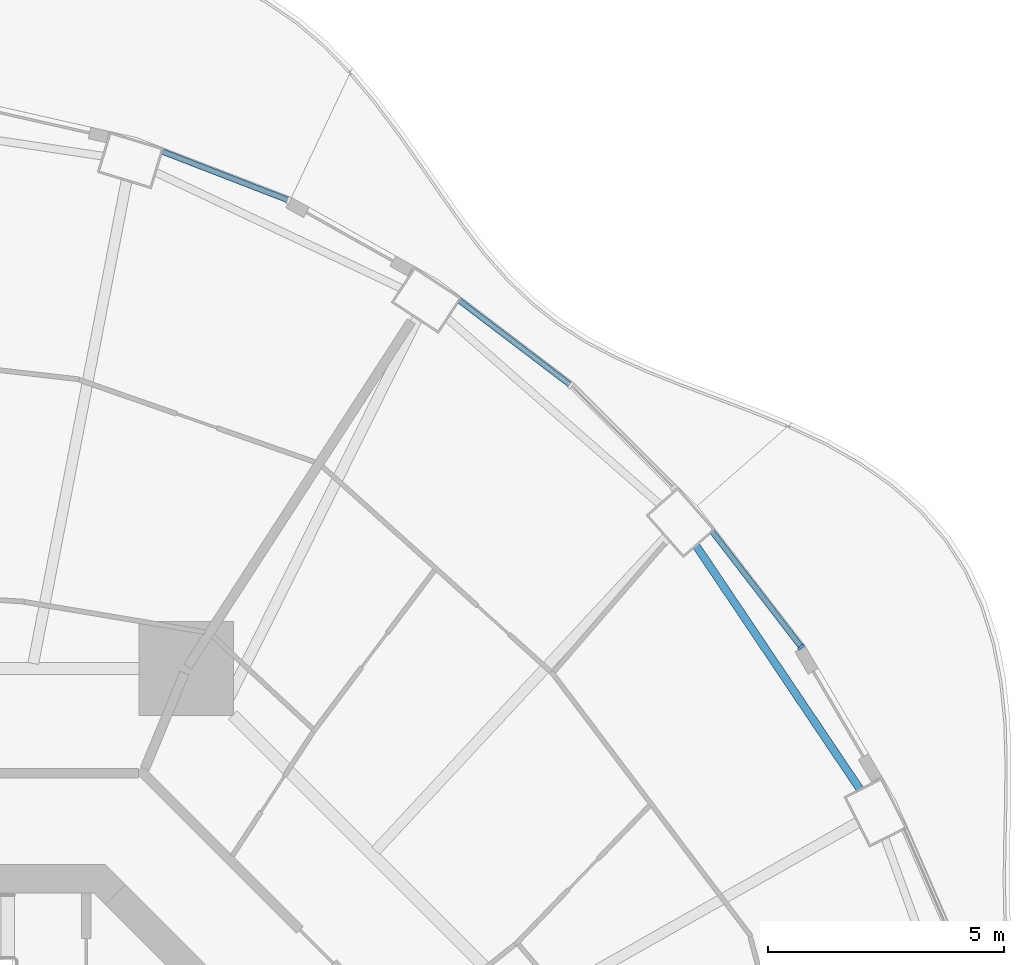
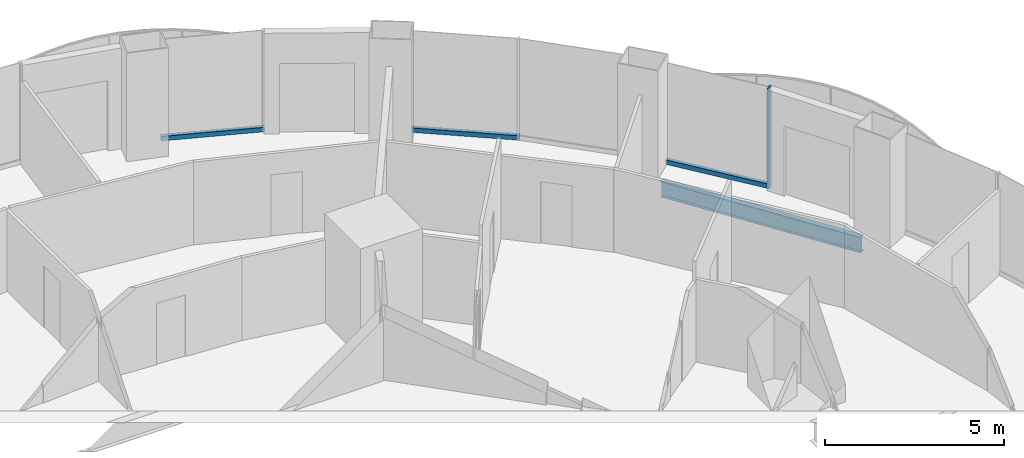
# One storey, part 9 of 20: 4 members, 1 beam, 3 elements without a shape of their own.
"""IFC4 building model written with IfcOpenShell, lengths in metres."""

from ifc_helpers import new_model, si_unit, direction, frame, origin, origin_2d, place, context, subcontext, project, spatial, rectangle, i_section, extrude, material, layer, layer_set, material_profile, profile_set, type_object, element, aggregate, save


model = new_model("IFC4")

# Units and contexts
model_context = context("Model", 3, precision=1e-05, world=origin(), true_north=direction((0.0, 1.0)))
body_context = subcontext(model_context, "Body", "Model", "MODEL_VIEW")
ifc_project = project(units=[si_unit("LENGTHUNIT", "METRE"), si_unit("AREAUNIT", "SQUARE_METRE"), si_unit("VOLUMEUNIT", "CUBIC_METRE"), si_unit("PLANEANGLEUNIT", "RADIAN"), si_unit("MASSUNIT", "GRAM", prefix="KILO")], contexts=[model_context])

# Site, building, storey
site_placement = place(None, origin())
site = spatial("IfcSite", under=ifc_project, at=site_placement, CompositionType="ELEMENT")
building_placement = place(site_placement, origin())
building = spatial("IfcBuilding", under=site, at=building_placement, Name="Nagisa Residences", CompositionType="ELEMENT")
storey_placement = place(building_placement, frame((0.0, 0.0, 123.300048828125)))
storey = spatial("IfcBuildingStorey", under=building, at=storey_placement, Name="L30", CompositionType="ELEMENT", Elevation=123.300048828125)

# Curtain wall, members
ifc_material_1 = material(Name="Concrete-coloured aluminium curtain wall system", Category="concrete")
ifc_layer = layer(ifc_material_1, 0.159912109375)
ifc_layer_set = layer_set([ifc_layer], Name="CW1 CURTAIN WALL")
curtain_wall_type = type_object("IfcCurtainWallType", Name="CW1 CURTAIN WALL", PredefinedType="NOTDEFINED", material=ifc_layer_set)
curtain_wall_1_placement = place(storey_placement, origin())
curtain_wall_1 = element("IfcCurtainWall", 1, at=curtain_wall_1_placement, inside=storey, type_object=curtain_wall_type, Name="cw:CW1:L30:05", PredefinedType="NOTDEFINED")
ifc_material_2 = material(Name="Concrete-coloured aluminium", Category="concrete")
ifc_material_profile_1 = material_profile(ifc_material_2, rectangle(XDim=0.159912109375, YDim=0.06005859375, at=origin_2d()), Name="CW1 MULLION 160x60")
ifc_profile_set_1 = profile_set([ifc_material_profile_1], Name="Concrete-coloured aluminium")
member_type_1 = type_object("IfcMemberType", Name="CW1 MULLION 160x60", PredefinedType="MULLION", material=ifc_profile_set_1)
member_1_placement = place(storey_placement, frame((19.169921875, 15.23876953125, 0.0), z_axis=(0.0, 0.0, 1.0), x_axis=(-0.792070340816, -0.610429828235, 0.0)))
member_1 = element("IfcMember", 2, at=member_1_placement, type_object=member_type_1, Name="CW1 mullion", PredefinedType="MULLION", context=body_context, shape_type="SweptSolid", body=[
    extrude(rectangle(XDim=0.159912109375, YDim=0.06005859375, at=origin_2d()), origin(), (0.0, 0.0, 1.0), 3.43994140625),
])
ifc_material_3 = material(Name="Concrete-coloured aluminium", Category="concrete")
ifc_material_profile_2 = material_profile(ifc_material_3, rectangle(XDim=0.1201171875, YDim=0.14990234375, at=origin_2d()), Name="CW1 TRANSOM 120x150")
ifc_profile_set_2 = profile_set([ifc_material_profile_2], Name="Concrete-coloured aluminium")
member_type_2 = type_object("IfcMemberType", Name="CW1 TRANSOM 120x150", PredefinedType="USERDEFINED", material=ifc_profile_set_2)
member_2_placement = place(storey_placement, frame((19.188232421875, 15.215087890625, 0.074951171875), z_axis=(-0.610467332273, 0.792041435928, 0.0), x_axis=(-0.792041435928, -0.610467332273, 0.0)))
member_2 = element("IfcMember", 3, at=member_2_placement, type_object=member_type_2, Name="CW1 transom", ObjectType="TRANSOM", PredefinedType="USERDEFINED", context=body_context, shape_type="SweptSolid", body=[
    extrude(rectangle(XDim=0.1201171875, YDim=0.14990234375, at=origin_2d()), origin(), (0.0, 0.0, 1.0), 3.14892578125),
])
aggregate(curtain_wall_1, [member_1, member_2])

# Curtain wall, member
curtain_wall_2_placement = place(storey_placement, origin())
curtain_wall_2 = element("IfcCurtainWall", 4, at=curtain_wall_2_placement, inside=storey, type_object=curtain_wall_type, Name="cw:CW1:L30:07", PredefinedType="NOTDEFINED")
member_3_placement = place(storey_placement, frame((14.30517578125, 20.77392578125, 0.074951171875), z_axis=(-0.796022231079, 0.605267385233, 0.0), x_axis=(-0.605267385233, -0.796022231079, 0.0)))
member_3 = element("IfcMember", 5, at=member_3_placement, type_object=member_type_2, Name="CW1 transom", ObjectType="TRANSOM", PredefinedType="USERDEFINED", context=body_context, shape_type="SweptSolid", body=[
    extrude(rectangle(XDim=0.1201171875, YDim=0.14990234375, at=origin_2d()), origin(), (0.0, 0.0, 1.0), 3.025634765625),
])
aggregate(curtain_wall_2, [member_3])

curtain_wall_3_placement = place(storey_placement, origin())
curtain_wall_3 = element("IfcCurtainWall", 6, at=curtain_wall_3_placement, inside=storey, type_object=curtain_wall_type, Name="cw:CW1:L30:09", PredefinedType="NOTDEFINED")
member_4_placement = place(storey_placement, frame((8.32568359375, 24.704345703125, 0.074951171875), z_axis=(-0.932845344347, 0.360277064952, 0.0), x_axis=(-0.360277064952, -0.932845344347, 0.0)))
member_4 = element("IfcMember", 7, at=member_4_placement, type_object=member_type_2, Name="CW1 transom", ObjectType="TRANSOM", PredefinedType="USERDEFINED", context=body_context, shape_type="SweptSolid", body=[
    extrude(rectangle(XDim=0.1201171875, YDim=0.14990234375, at=origin_2d()), origin(), (0.0, 0.0, 1.0), 2.92333984375),
])
aggregate(curtain_wall_3, [member_4])

# Beam
ifc_material_4 = material(Name="Steel ASTM A572 Gr 50", Category="steel")
ifc_material_profile_3 = material_profile(ifc_material_4, i_section(OverallWidth=0.166015625, OverallDepth=0.534912109375, WebThickness=0.01025390625, FlangeThickness=0.0166015625, at=origin_2d()), Name="W530x85")
ifc_profile_set_3 = profile_set([ifc_material_profile_3], Name="Steel ASTM A572 Gr 50")
beam_type = type_object("IfcBeamType", Name="Perimeter ring beam W530x85", PredefinedType="BEAM", material=ifc_profile_set_3)
beam_placement = place(storey_placement, frame((20.420654296875, 12.21484375, -0.527587890625), z_axis=(-0.558187951157, 0.82971453596, 0.0), x_axis=(-0.82971453596, -0.558187951157, 0.0)))
element("IfcBeam", 8, at=beam_placement, inside=storey, type_object=beam_type, Name="beam:L30:pb03", PredefinedType="BEAM", context=body_context, shape_type="SweptSolid", body=[
    extrude(i_section(OverallWidth=0.166015625, OverallDepth=0.534912109375, WebThickness=0.01025390625, FlangeThickness=0.0166015625, at=origin_2d()), origin(), (0.0, 0.0, 1.0), 6.24267578125),
])

save(model, "model.ifc")
